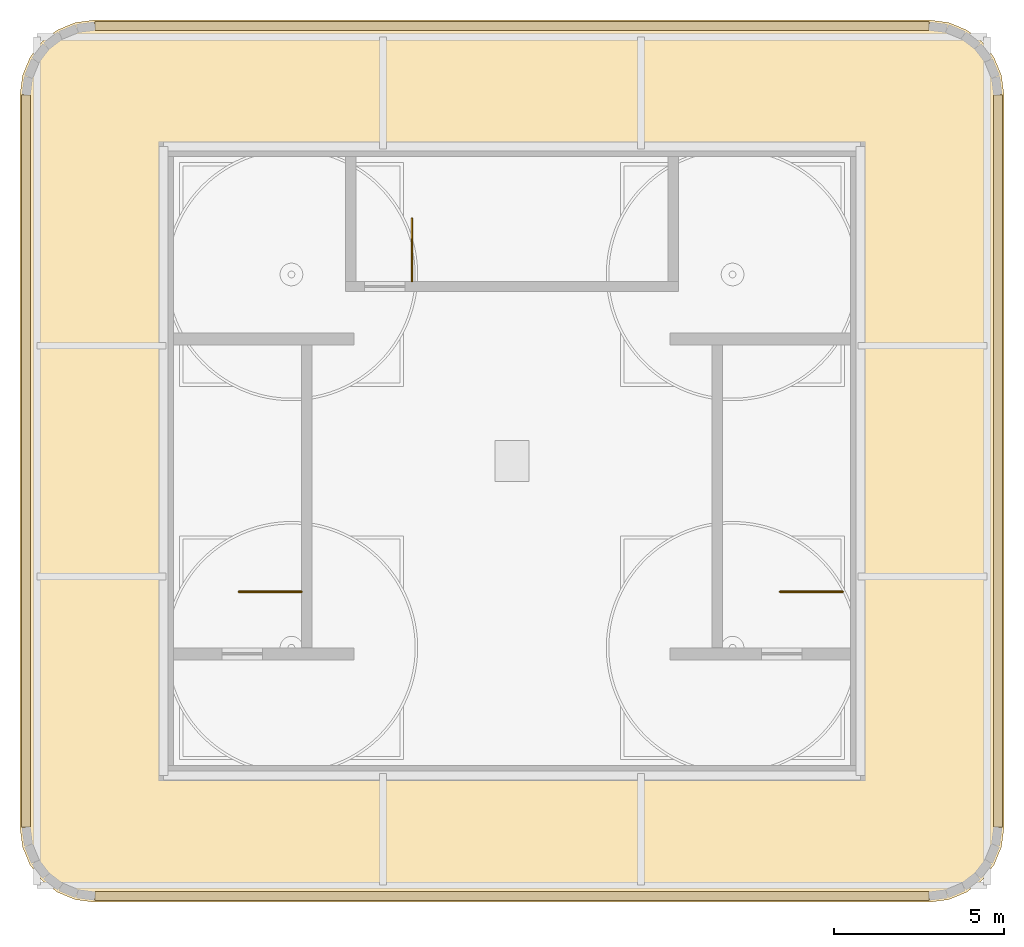
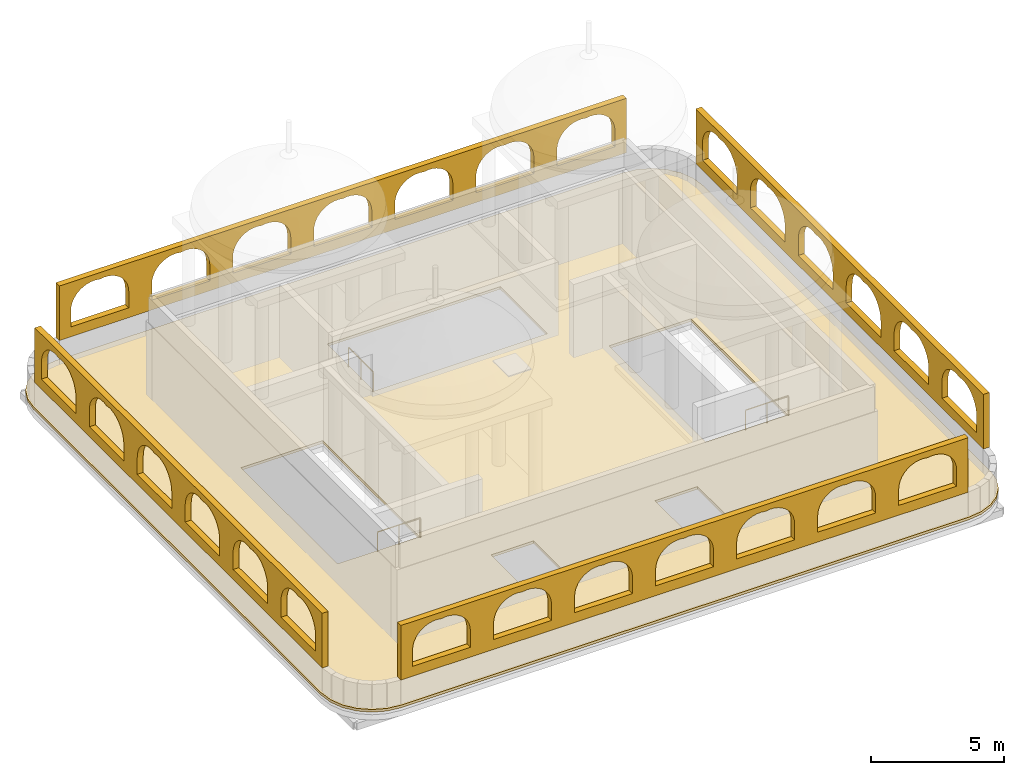
# One storey, part 3 of 3: 5 coverings, 3 railings.
"""IFC4 building model written with IfcOpenShell, lengths in metres."""

from ifc_helpers import new_model, si_unit, direction, frame, origin, origin_2d, place, context, subcontext, project, spatial, polyline, circle, outline, extrude, material, layer, layer_set, type_object, element, save


model = new_model("IFC4")

# Units and contexts
model_context = context("Model", 3, precision=1e-05, world=origin(), true_north=direction((0.0, 1.0)))
body_context = subcontext(model_context, "Body", "Model", "MODEL_VIEW")
ifc_project = project(units=[si_unit("LENGTHUNIT", "METRE"), si_unit("AREAUNIT", "SQUARE_METRE"), si_unit("VOLUMEUNIT", "CUBIC_METRE"), si_unit("PLANEANGLEUNIT", "RADIAN"), si_unit("MASSUNIT", "GRAM", prefix="KILO")], contexts=[model_context])

# Site, building, storey
site_placement = place(None, origin())
site = spatial("IfcSite", under=ifc_project, at=site_placement, CompositionType="ELEMENT")
building_placement = place(site_placement, origin())
building = spatial("IfcBuilding", under=site, at=building_placement, Name="Punatoya Terracotta Tower", CompositionType="ELEMENT")
storey_placement = place(building_placement, frame((0.0, 0.0, 370.800048828125)))
storey = spatial("IfcBuildingStorey", under=building, at=storey_placement, Name="RF", CompositionType="ELEMENT", Elevation=370.800048828125)

# Coverings
ifc_material_1 = material(Name="Architectural Fired Terracotta Rainscreen", Category="masonry")
ifc_layer_1 = layer(ifc_material_1, 0.260009765625)
ifc_layer_set_1 = layer_set([ifc_layer_1], Name="Architectural Fired Terracotta Rainscreen")
covering_type_1 = type_object("IfcCoveringType", Name="COV-CRN-260", PredefinedType="CLADDING", material=ifc_layer_set_1)
covering_1_placement = place(storey_placement, frame((14.320068359375, -10.7880859375, 1.349853515625), z_axis=(0.0, 0.0, 1.0), x_axis=(0.0, 1.0, 0.0)))
element("IfcCovering", 1, at=covering_1_placement, inside=storey, type_object=covering_type_1, Name="RF Crown Arched Parapet Screen 01", PredefinedType="CLADDING", context=body_context, shape_type="SweptSolid", body=[
    extrude(outline(polyline([(0.0, 0.0), (21.576416015625, 0.0), (21.576416015625, 2.5), (0.0, 2.5), (0.0, 0.0)]), holes=[polyline([(0.5, 0.449951171875), (0.5, 1.199951171875), (0.51708984375, 1.38818359375), (0.568359375, 1.56982421875), (0.65185546875, 1.739501953125), (0.7646484375, 1.890869140625), (0.903076171875, 2.019287109375), (1.0625, 2.120361328125), (1.23779296875, 2.19091796875), (1.4228515625, 2.228271484375), (1.61181640625, 2.231201171875), (1.798095703125, 2.199951171875), (1.984375, 2.231201171875), (2.173095703125, 2.228271484375), (2.3583984375, 2.19091796875), (2.533447265625, 2.120361328125), (2.693115234375, 2.019287109375), (2.83154296875, 1.890869140625), (2.9443359375, 1.739501953125), (3.027587890625, 1.56982421875), (3.078857421875, 1.38818359375), (3.09619140625, 1.199951171875), (3.09619140625, 0.449951171875), (0.5, 0.449951171875)]), polyline([(4.09619140625, 0.449951171875), (4.09619140625, 1.199951171875), (4.11328125, 1.38818359375), (4.16455078125, 1.56982421875), (4.247802734375, 1.739501953125), (4.360595703125, 1.890869140625), (4.4990234375, 2.019287109375), (4.65869140625, 2.120361328125), (4.833984375, 2.19091796875), (5.01904296875, 2.228271484375), (5.207763671875, 2.231201171875), (5.39404296875, 2.199951171875), (5.580322265625, 2.231201171875), (5.769287109375, 2.228271484375), (5.954345703125, 2.19091796875), (6.129638671875, 2.120361328125), (6.2890625, 2.019287109375), (6.427490234375, 1.890869140625), (6.540283203125, 1.739501953125), (6.623779296875, 1.56982421875), (6.6748046875, 1.38818359375), (6.692138671875, 1.199951171875), (6.692138671875, 0.449951171875), (4.09619140625, 0.449951171875)]), polyline([(7.692138671875, 0.449951171875), (7.692138671875, 1.199951171875), (7.70947265625, 1.38818359375), (7.760498046875, 1.56982421875), (7.843994140625, 1.739501953125), (7.956787109375, 1.890869140625), (8.09521484375, 2.019287109375), (8.254638671875, 2.120361328125), (8.429931640625, 2.19091796875), (8.614990234375, 2.228271484375), (8.803955078125, 2.231201171875), (8.990234375, 2.199951171875), (9.176513671875, 2.231201171875), (9.365234375, 2.228271484375), (9.55029296875, 2.19091796875), (9.7255859375, 2.120361328125), (9.88525390625, 2.019287109375), (10.023681640625, 1.890869140625), (10.136474609375, 1.739501953125), (10.2197265625, 1.56982421875), (10.27099609375, 1.38818359375), (10.2880859375, 1.199951171875), (10.2880859375, 0.449951171875), (7.692138671875, 0.449951171875)]), polyline([(11.2880859375, 0.449951171875), (11.2880859375, 1.199951171875), (11.305419921875, 1.38818359375), (11.356689453125, 1.56982421875), (11.43994140625, 1.739501953125), (11.552734375, 1.890869140625), (11.691162109375, 2.019287109375), (11.850830078125, 2.120361328125), (12.02587890625, 2.19091796875), (12.211181640625, 2.228271484375), (12.39990234375, 2.231201171875), (12.586181640625, 2.199951171875), (12.7724609375, 2.231201171875), (12.961181640625, 2.228271484375), (13.146484375, 2.19091796875), (13.32177734375, 2.120361328125), (13.481201171875, 2.019287109375), (13.61962890625, 1.890869140625), (13.732421875, 1.739501953125), (13.81591796875, 1.56982421875), (13.866943359375, 1.38818359375), (13.88427734375, 1.199951171875), (13.88427734375, 0.449951171875), (11.2880859375, 0.449951171875)]), polyline([(14.88427734375, 0.449951171875), (14.88427734375, 1.199951171875), (14.901611328125, 1.38818359375), (14.95263671875, 1.56982421875), (15.035888671875, 1.739501953125), (15.148681640625, 1.890869140625), (15.287353515625, 2.019287109375), (15.44677734375, 2.120361328125), (15.6220703125, 2.19091796875), (15.80712890625, 2.228271484375), (15.99609375, 2.231201171875), (16.182373046875, 2.199951171875), (16.36865234375, 2.231201171875), (16.557373046875, 2.228271484375), (16.742431640625, 2.19091796875), (16.917724609375, 2.120361328125), (17.077392578125, 2.019287109375), (17.2158203125, 1.890869140625), (17.32861328125, 1.739501953125), (17.411865234375, 1.56982421875), (17.463134765625, 1.38818359375), (17.480224609375, 1.199951171875), (17.480224609375, 0.449951171875), (14.88427734375, 0.449951171875)]), polyline([(18.480224609375, 0.449951171875), (18.480224609375, 1.199951171875), (18.49755859375, 1.38818359375), (18.548583984375, 1.56982421875), (18.632080078125, 1.739501953125), (18.744873046875, 1.890869140625), (18.88330078125, 2.019287109375), (19.04296875, 2.120361328125), (19.218017578125, 2.19091796875), (19.4033203125, 2.228271484375), (19.592041015625, 2.231201171875), (19.7783203125, 2.199951171875), (19.964599609375, 2.231201171875), (20.153564453125, 2.228271484375), (20.338623046875, 2.19091796875), (20.513916015625, 2.120361328125), (20.67333984375, 2.019287109375), (20.811767578125, 1.890869140625), (20.924560546875, 1.739501953125), (21.008056640625, 1.56982421875), (21.05908203125, 1.38818359375), (21.076416015625, 1.199951171875), (21.076416015625, 0.449951171875), (18.480224609375, 0.449951171875)])]), frame((0.0, 0.1298828125, 0.0), z_axis=(0.0, -1.0, 0.0), x_axis=(1.0, 0.0, 0.0)), (0.0, 0.0, 1.0), 0.260009765625),
])
covering_2_placement = place(storey_placement, frame((12.2880859375, 12.820068359375, 1.349853515625), z_axis=(0.0, 0.0, 1.0), x_axis=(-1.0, 0.0, 0.0)))
element("IfcCovering", 2, at=covering_2_placement, inside=storey, type_object=covering_type_1, Name="RF Crown Arched Parapet Screen 02", PredefinedType="CLADDING", context=body_context, shape_type="SweptSolid", body=[
    extrude(outline(polyline([(0.0, 0.0), (24.576416015625, 0.0), (24.576416015625, 2.5), (0.0, 2.5), (0.0, 0.0)]), holes=[polyline([(0.5, 0.449951171875), (0.5, 1.199951171875), (0.5166015625, 1.38330078125), (0.5654296875, 1.560791015625), (0.6455078125, 1.7265625), (0.753662109375, 1.87548828125), (0.88671875, 2.00244140625), (1.040283203125, 2.103759765625), (1.209716796875, 2.176025390625), (1.38916015625, 2.216796875), (1.572998046875, 2.224853515625), (1.755615234375, 2.199951171875), (1.937744140625, 2.224853515625), (2.12158203125, 2.216796875), (2.30126953125, 2.176025390625), (2.470458984375, 2.103759765625), (2.624267578125, 2.00244140625), (2.75732421875, 1.87548828125), (2.865478515625, 1.7265625), (2.9453125, 1.560791015625), (2.994384765625, 1.38330078125), (3.010986328125, 1.199951171875), (3.010986328125, 0.449951171875), (0.5, 0.449951171875)]), polyline([(4.010986328125, 0.449951171875), (4.010986328125, 1.199951171875), (4.02734375, 1.38330078125), (4.076416015625, 1.560791015625), (4.15625, 1.7265625), (4.2646484375, 1.87548828125), (4.397705078125, 2.00244140625), (4.551513671875, 2.103759765625), (4.720703125, 2.176025390625), (4.900146484375, 2.216796875), (5.083984375, 2.224853515625), (5.266357421875, 2.199951171875), (5.44873046875, 2.224853515625), (5.632568359375, 2.216796875), (5.81201171875, 2.176025390625), (5.9814453125, 2.103759765625), (6.135009765625, 2.00244140625), (6.268310546875, 1.87548828125), (6.37646484375, 1.7265625), (6.456298828125, 1.560791015625), (6.50537109375, 1.38330078125), (6.521728515625, 1.199951171875), (6.521728515625, 0.449951171875), (4.010986328125, 0.449951171875)]), polyline([(7.521728515625, 0.449951171875), (7.521728515625, 1.199951171875), (7.538330078125, 1.38330078125), (7.58740234375, 1.560791015625), (7.667236328125, 1.7265625), (7.775390625, 1.87548828125), (7.90869140625, 2.00244140625), (8.062255859375, 2.103759765625), (8.231689453125, 2.176025390625), (8.410888671875, 2.216796875), (8.594970703125, 2.224853515625), (8.77734375, 2.199951171875), (8.959716796875, 2.224853515625), (9.1435546875, 2.216796875), (9.322998046875, 2.176025390625), (9.4921875, 2.103759765625), (9.64599609375, 2.00244140625), (9.779052734375, 1.87548828125), (9.88720703125, 1.7265625), (9.96728515625, 1.560791015625), (10.01611328125, 1.38330078125), (10.03271484375, 1.199951171875), (10.03271484375, 0.449951171875), (7.521728515625, 0.449951171875)]), polyline([(11.03271484375, 0.449951171875), (11.03271484375, 1.199951171875), (11.04931640625, 1.38330078125), (11.09814453125, 1.560791015625), (11.17822265625, 1.7265625), (11.286376953125, 1.87548828125), (11.41943359375, 2.00244140625), (11.5732421875, 2.103759765625), (11.742431640625, 2.176025390625), (11.922119140625, 2.216796875), (12.105712890625, 2.224853515625), (12.2880859375, 2.199951171875), (12.470703125, 2.224853515625), (12.654296875, 2.216796875), (12.833984375, 2.176025390625), (13.003173828125, 2.103759765625), (13.156982421875, 2.00244140625), (13.2900390625, 1.87548828125), (13.398193359375, 1.7265625), (13.478271484375, 1.560791015625), (13.527099609375, 1.38330078125), (13.543701171875, 1.199951171875), (13.543701171875, 0.449951171875), (11.03271484375, 0.449951171875)]), polyline([(14.543701171875, 0.449951171875), (14.543701171875, 1.199951171875), (14.560302734375, 1.38330078125), (14.609130859375, 1.560791015625), (14.689208984375, 1.7265625), (14.79736328125, 1.87548828125), (14.930419921875, 2.00244140625), (15.083984375, 2.103759765625), (15.25341796875, 2.176025390625), (15.432861328125, 2.216796875), (15.61669921875, 2.224853515625), (15.799072265625, 2.199951171875), (15.9814453125, 2.224853515625), (16.165283203125, 2.216796875), (16.3447265625, 2.176025390625), (16.51416015625, 2.103759765625), (16.667724609375, 2.00244140625), (16.80078125, 1.87548828125), (16.9091796875, 1.7265625), (16.989013671875, 1.560791015625), (17.0380859375, 1.38330078125), (17.0546875, 1.199951171875), (17.0546875, 0.449951171875), (14.543701171875, 0.449951171875)]), polyline([(18.0546875, 0.449951171875), (18.0546875, 1.199951171875), (18.071044921875, 1.38330078125), (18.1201171875, 1.560791015625), (18.199951171875, 1.7265625), (18.30810546875, 1.87548828125), (18.44140625, 2.00244140625), (18.594970703125, 2.103759765625), (18.764404296875, 2.176025390625), (18.94384765625, 2.216796875), (19.127685546875, 2.224853515625), (19.31005859375, 2.199951171875), (19.492431640625, 2.224853515625), (19.67626953125, 2.216796875), (19.855712890625, 2.176025390625), (20.02490234375, 2.103759765625), (20.1787109375, 2.00244140625), (20.311767578125, 1.87548828125), (20.420166015625, 1.7265625), (20.5, 1.560791015625), (20.549072265625, 1.38330078125), (20.5654296875, 1.199951171875), (20.5654296875, 0.449951171875), (18.0546875, 0.449951171875)]), polyline([(21.5654296875, 0.449951171875), (21.5654296875, 1.199951171875), (21.58203125, 1.38330078125), (21.631103515625, 1.560791015625), (21.7109375, 1.7265625), (21.819091796875, 1.87548828125), (21.9521484375, 2.00244140625), (22.10595703125, 2.103759765625), (22.275146484375, 2.176025390625), (22.45458984375, 2.216796875), (22.638671875, 2.224853515625), (22.82080078125, 2.199951171875), (23.00341796875, 2.224853515625), (23.187255859375, 2.216796875), (23.36669921875, 2.176025390625), (23.535888671875, 2.103759765625), (23.689697265625, 2.00244140625), (23.82275390625, 1.87548828125), (23.930908203125, 1.7265625), (24.010986328125, 1.560791015625), (24.059814453125, 1.38330078125), (24.076416015625, 1.199951171875), (24.076416015625, 0.449951171875), (21.5654296875, 0.449951171875)])]), frame((0.0, 0.1298828125, 0.0), z_axis=(0.0, -1.0, 0.0), x_axis=(1.0, 0.0, 0.0)), (0.0, 0.0, 1.0), 0.260009765625),
])
covering_3_placement = place(storey_placement, frame((-14.320068359375, 10.7880859375, 1.349853515625), z_axis=(0.0, 0.0, 1.0), x_axis=(0.0, -1.0, 0.0)))
element("IfcCovering", 3, at=covering_3_placement, inside=storey, type_object=covering_type_1, Name="RF Crown Arched Parapet Screen 03", PredefinedType="CLADDING", context=body_context, shape_type="SweptSolid", body=[
    extrude(outline(polyline([(0.0, 0.0), (21.576416015625, 0.0), (21.576416015625, 2.5), (0.0, 2.5), (0.0, 0.0)]), holes=[polyline([(0.5, 0.449951171875), (0.5, 1.199951171875), (0.51708984375, 1.38818359375), (0.568359375, 1.56982421875), (0.65185546875, 1.739501953125), (0.7646484375, 1.890869140625), (0.903076171875, 2.019287109375), (1.0625, 2.120361328125), (1.23779296875, 2.19091796875), (1.4228515625, 2.228271484375), (1.61181640625, 2.231201171875), (1.798095703125, 2.199951171875), (1.984375, 2.231201171875), (2.173095703125, 2.228271484375), (2.3583984375, 2.19091796875), (2.533447265625, 2.120361328125), (2.693115234375, 2.019287109375), (2.83154296875, 1.890869140625), (2.9443359375, 1.739501953125), (3.027587890625, 1.56982421875), (3.078857421875, 1.38818359375), (3.09619140625, 1.199951171875), (3.09619140625, 0.449951171875), (0.5, 0.449951171875)]), polyline([(4.09619140625, 0.449951171875), (4.09619140625, 1.199951171875), (4.11328125, 1.38818359375), (4.16455078125, 1.56982421875), (4.247802734375, 1.739501953125), (4.360595703125, 1.890869140625), (4.4990234375, 2.019287109375), (4.65869140625, 2.120361328125), (4.833984375, 2.19091796875), (5.01904296875, 2.228271484375), (5.207763671875, 2.231201171875), (5.39404296875, 2.199951171875), (5.580322265625, 2.231201171875), (5.769287109375, 2.228271484375), (5.954345703125, 2.19091796875), (6.129638671875, 2.120361328125), (6.2890625, 2.019287109375), (6.427490234375, 1.890869140625), (6.540283203125, 1.739501953125), (6.623779296875, 1.56982421875), (6.6748046875, 1.38818359375), (6.692138671875, 1.199951171875), (6.692138671875, 0.449951171875), (4.09619140625, 0.449951171875)]), polyline([(7.692138671875, 0.449951171875), (7.692138671875, 1.199951171875), (7.70947265625, 1.38818359375), (7.760498046875, 1.56982421875), (7.843994140625, 1.739501953125), (7.956787109375, 1.890869140625), (8.09521484375, 2.019287109375), (8.254638671875, 2.120361328125), (8.429931640625, 2.19091796875), (8.614990234375, 2.228271484375), (8.803955078125, 2.231201171875), (8.990234375, 2.199951171875), (9.176513671875, 2.231201171875), (9.365234375, 2.228271484375), (9.55029296875, 2.19091796875), (9.7255859375, 2.120361328125), (9.88525390625, 2.019287109375), (10.023681640625, 1.890869140625), (10.136474609375, 1.739501953125), (10.2197265625, 1.56982421875), (10.27099609375, 1.38818359375), (10.2880859375, 1.199951171875), (10.2880859375, 0.449951171875), (7.692138671875, 0.449951171875)]), polyline([(11.2880859375, 0.449951171875), (11.2880859375, 1.199951171875), (11.305419921875, 1.38818359375), (11.356689453125, 1.56982421875), (11.43994140625, 1.739501953125), (11.552734375, 1.890869140625), (11.691162109375, 2.019287109375), (11.850830078125, 2.120361328125), (12.02587890625, 2.19091796875), (12.211181640625, 2.228271484375), (12.39990234375, 2.231201171875), (12.586181640625, 2.199951171875), (12.7724609375, 2.231201171875), (12.961181640625, 2.228271484375), (13.146484375, 2.19091796875), (13.32177734375, 2.120361328125), (13.481201171875, 2.019287109375), (13.61962890625, 1.890869140625), (13.732421875, 1.739501953125), (13.81591796875, 1.56982421875), (13.866943359375, 1.38818359375), (13.88427734375, 1.199951171875), (13.88427734375, 0.449951171875), (11.2880859375, 0.449951171875)]), polyline([(14.88427734375, 0.449951171875), (14.88427734375, 1.199951171875), (14.901611328125, 1.38818359375), (14.95263671875, 1.56982421875), (15.035888671875, 1.739501953125), (15.148681640625, 1.890869140625), (15.287353515625, 2.019287109375), (15.44677734375, 2.120361328125), (15.6220703125, 2.19091796875), (15.80712890625, 2.228271484375), (15.99609375, 2.231201171875), (16.182373046875, 2.199951171875), (16.36865234375, 2.231201171875), (16.557373046875, 2.228271484375), (16.742431640625, 2.19091796875), (16.917724609375, 2.120361328125), (17.077392578125, 2.019287109375), (17.2158203125, 1.890869140625), (17.32861328125, 1.739501953125), (17.411865234375, 1.56982421875), (17.463134765625, 1.38818359375), (17.480224609375, 1.199951171875), (17.480224609375, 0.449951171875), (14.88427734375, 0.449951171875)]), polyline([(18.480224609375, 0.449951171875), (18.480224609375, 1.199951171875), (18.49755859375, 1.38818359375), (18.548583984375, 1.56982421875), (18.632080078125, 1.739501953125), (18.744873046875, 1.890869140625), (18.88330078125, 2.019287109375), (19.04296875, 2.120361328125), (19.218017578125, 2.19091796875), (19.4033203125, 2.228271484375), (19.592041015625, 2.231201171875), (19.7783203125, 2.199951171875), (19.964599609375, 2.231201171875), (20.153564453125, 2.228271484375), (20.338623046875, 2.19091796875), (20.513916015625, 2.120361328125), (20.67333984375, 2.019287109375), (20.811767578125, 1.890869140625), (20.924560546875, 1.739501953125), (21.008056640625, 1.56982421875), (21.05908203125, 1.38818359375), (21.076416015625, 1.199951171875), (21.076416015625, 0.449951171875), (18.480224609375, 0.449951171875)])]), frame((0.0, 0.1298828125, 0.0), z_axis=(0.0, -1.0, 0.0), x_axis=(1.0, 0.0, 0.0)), (0.0, 0.0, 1.0), 0.260009765625),
])
covering_4_placement = place(storey_placement, frame((-12.2880859375, -12.820068359375, 1.349853515625), z_axis=(0.0, 0.0, 1.0), x_axis=(1.0, 0.0, 0.0)))
element("IfcCovering", 4, at=covering_4_placement, inside=storey, type_object=covering_type_1, Name="RF Crown Arched Parapet Screen 04", PredefinedType="CLADDING", context=body_context, shape_type="SweptSolid", body=[
    extrude(outline(polyline([(0.0, 0.0), (24.576416015625, 0.0), (24.576416015625, 2.5), (0.0, 2.5), (0.0, 0.0)]), holes=[polyline([(0.5, 0.449951171875), (0.5, 1.199951171875), (0.5166015625, 1.38330078125), (0.5654296875, 1.560791015625), (0.6455078125, 1.7265625), (0.753662109375, 1.87548828125), (0.88671875, 2.00244140625), (1.040283203125, 2.103759765625), (1.209716796875, 2.176025390625), (1.38916015625, 2.216796875), (1.572998046875, 2.224853515625), (1.755615234375, 2.199951171875), (1.937744140625, 2.224853515625), (2.12158203125, 2.216796875), (2.30126953125, 2.176025390625), (2.470458984375, 2.103759765625), (2.624267578125, 2.00244140625), (2.75732421875, 1.87548828125), (2.865478515625, 1.7265625), (2.9453125, 1.560791015625), (2.994384765625, 1.38330078125), (3.010986328125, 1.199951171875), (3.010986328125, 0.449951171875), (0.5, 0.449951171875)]), polyline([(4.010986328125, 0.449951171875), (4.010986328125, 1.199951171875), (4.02734375, 1.38330078125), (4.076416015625, 1.560791015625), (4.15625, 1.7265625), (4.2646484375, 1.87548828125), (4.397705078125, 2.00244140625), (4.551513671875, 2.103759765625), (4.720703125, 2.176025390625), (4.900146484375, 2.216796875), (5.083984375, 2.224853515625), (5.266357421875, 2.199951171875), (5.44873046875, 2.224853515625), (5.632568359375, 2.216796875), (5.81201171875, 2.176025390625), (5.9814453125, 2.103759765625), (6.135009765625, 2.00244140625), (6.268310546875, 1.87548828125), (6.37646484375, 1.7265625), (6.456298828125, 1.560791015625), (6.50537109375, 1.38330078125), (6.521728515625, 1.199951171875), (6.521728515625, 0.449951171875), (4.010986328125, 0.449951171875)]), polyline([(7.521728515625, 0.449951171875), (7.521728515625, 1.199951171875), (7.538330078125, 1.38330078125), (7.58740234375, 1.560791015625), (7.667236328125, 1.7265625), (7.775390625, 1.87548828125), (7.90869140625, 2.00244140625), (8.062255859375, 2.103759765625), (8.231689453125, 2.176025390625), (8.410888671875, 2.216796875), (8.594970703125, 2.224853515625), (8.77734375, 2.199951171875), (8.959716796875, 2.224853515625), (9.1435546875, 2.216796875), (9.322998046875, 2.176025390625), (9.4921875, 2.103759765625), (9.64599609375, 2.00244140625), (9.779052734375, 1.87548828125), (9.88720703125, 1.7265625), (9.96728515625, 1.560791015625), (10.01611328125, 1.38330078125), (10.03271484375, 1.199951171875), (10.03271484375, 0.449951171875), (7.521728515625, 0.449951171875)]), polyline([(11.03271484375, 0.449951171875), (11.03271484375, 1.199951171875), (11.04931640625, 1.38330078125), (11.09814453125, 1.560791015625), (11.17822265625, 1.7265625), (11.286376953125, 1.87548828125), (11.41943359375, 2.00244140625), (11.5732421875, 2.103759765625), (11.742431640625, 2.176025390625), (11.922119140625, 2.216796875), (12.105712890625, 2.224853515625), (12.2880859375, 2.199951171875), (12.470703125, 2.224853515625), (12.654296875, 2.216796875), (12.833984375, 2.176025390625), (13.003173828125, 2.103759765625), (13.156982421875, 2.00244140625), (13.2900390625, 1.87548828125), (13.398193359375, 1.7265625), (13.478271484375, 1.560791015625), (13.527099609375, 1.38330078125), (13.543701171875, 1.199951171875), (13.543701171875, 0.449951171875), (11.03271484375, 0.449951171875)]), polyline([(14.543701171875, 0.449951171875), (14.543701171875, 1.199951171875), (14.560302734375, 1.38330078125), (14.609130859375, 1.560791015625), (14.689208984375, 1.7265625), (14.79736328125, 1.87548828125), (14.930419921875, 2.00244140625), (15.083984375, 2.103759765625), (15.25341796875, 2.176025390625), (15.432861328125, 2.216796875), (15.61669921875, 2.224853515625), (15.799072265625, 2.199951171875), (15.9814453125, 2.224853515625), (16.165283203125, 2.216796875), (16.3447265625, 2.176025390625), (16.51416015625, 2.103759765625), (16.667724609375, 2.00244140625), (16.80078125, 1.87548828125), (16.9091796875, 1.7265625), (16.989013671875, 1.560791015625), (17.0380859375, 1.38330078125), (17.0546875, 1.199951171875), (17.0546875, 0.449951171875), (14.543701171875, 0.449951171875)]), polyline([(18.0546875, 0.449951171875), (18.0546875, 1.199951171875), (18.071044921875, 1.38330078125), (18.1201171875, 1.560791015625), (18.199951171875, 1.7265625), (18.30810546875, 1.87548828125), (18.44140625, 2.00244140625), (18.594970703125, 2.103759765625), (18.764404296875, 2.176025390625), (18.94384765625, 2.216796875), (19.127685546875, 2.224853515625), (19.31005859375, 2.199951171875), (19.492431640625, 2.224853515625), (19.67626953125, 2.216796875), (19.855712890625, 2.176025390625), (20.02490234375, 2.103759765625), (20.1787109375, 2.00244140625), (20.311767578125, 1.87548828125), (20.420166015625, 1.7265625), (20.5, 1.560791015625), (20.549072265625, 1.38330078125), (20.5654296875, 1.199951171875), (20.5654296875, 0.449951171875), (18.0546875, 0.449951171875)]), polyline([(21.5654296875, 0.449951171875), (21.5654296875, 1.199951171875), (21.58203125, 1.38330078125), (21.631103515625, 1.560791015625), (21.7109375, 1.7265625), (21.819091796875, 1.87548828125), (21.9521484375, 2.00244140625), (22.10595703125, 2.103759765625), (22.275146484375, 2.176025390625), (22.45458984375, 2.216796875), (22.638671875, 2.224853515625), (22.82080078125, 2.199951171875), (23.00341796875, 2.224853515625), (23.187255859375, 2.216796875), (23.36669921875, 2.176025390625), (23.535888671875, 2.103759765625), (23.689697265625, 2.00244140625), (23.82275390625, 1.87548828125), (23.930908203125, 1.7265625), (24.010986328125, 1.560791015625), (24.059814453125, 1.38330078125), (24.076416015625, 1.199951171875), (24.076416015625, 0.449951171875), (21.5654296875, 0.449951171875)])]), frame((0.0, 0.1298828125, 0.0), z_axis=(0.0, -1.0, 0.0), x_axis=(1.0, 0.0, 0.0)), (0.0, 0.0, 1.0), 0.260009765625),
])
ifc_material_2 = material(Name="EPDM Waterproof Membrane + Rigid Insulation")
ifc_layer_2 = layer(ifc_material_2, 0.1201171875)
ifc_layer_set_2 = layer_set([ifc_layer_2], Name="EPDM Waterproof Membrane + Rigid Insulation")
covering_type_2 = type_object("IfcCoveringType", Name="COV-ROOF-120", PredefinedType="ROOFING", material=ifc_layer_set_2)
covering_5_placement = place(storey_placement, frame((0.0, 0.0, 0.119873046875)))
element("IfcCovering", 5, at=covering_5_placement, inside=storey, type_object=covering_type_2, Name="RF Crown Insulated Roof Membrane", PredefinedType="ROOFING", context=body_context, shape_type="SweptSolid", body=[
    extrude(outline(polyline([(-12.300048828125, -13.0), (12.300048828125, -13.0), (12.869384765625, -12.925048828125), (13.39990234375, -12.705322265625), (13.855712890625, -12.355712890625), (14.205322265625, -11.89990234375), (14.425048828125, -11.369384765625), (14.5, -10.800048828125), (14.5, 10.800048828125), (14.425048828125, 11.369384765625), (14.205322265625, 11.89990234375), (13.855712890625, 12.355712890625), (13.39990234375, 12.705322265625), (12.869384765625, 12.925048828125), (12.300048828125, 13.0), (-12.300048828125, 13.0), (-12.869384765625, 12.925048828125), (-13.39990234375, 12.705322265625), (-13.855712890625, 12.355712890625), (-14.205322265625, 11.89990234375), (-14.425048828125, 11.369384765625), (-14.5, 10.800048828125), (-14.5, -10.800048828125), (-14.425048828125, -11.369384765625), (-14.205322265625, -11.89990234375), (-13.855712890625, -12.355712890625), (-13.39990234375, -12.705322265625), (-12.869384765625, -12.925048828125), (-12.300048828125, -13.0)]), holes=[polyline([(-4.469970703125, -6.179931640625), (-2.6298828125, -6.179931640625), (-2.6298828125, -8.820068359375), (-4.469970703125, -8.820068359375), (-4.469970703125, -6.179931640625)]), polyline([(2.6298828125, -6.179931640625), (4.469970703125, -6.179931640625), (4.469970703125, -8.820068359375), (2.6298828125, -8.820068359375), (2.6298828125, -6.179931640625)]), polyline([(-9.75, -3.79931640625), (-9.75, 3.449951171875), (-6.199951171875, 3.449951171875), (-6.199951171875, -3.79931640625), (-9.75, -3.79931640625)]), polyline([(6.199951171875, 3.449951171875), (9.75, 3.449951171875), (9.75, -3.79931640625), (6.199951171875, -3.79931640625), (6.199951171875, 3.449951171875)]), polyline([(4.60009765625, 8.85009765625), (4.60009765625, 5.300048828125), (-2.899169921875, 5.300048828125), (-2.899169921875, 8.85009765625), (4.60009765625, 8.85009765625)])]), origin(), (0.0, 0.0, 1.0), 0.1201171875),
])

# Railings
ifc_material_3 = material(Name="Steel S355", Category="steel")
railing_type = type_object("IfcRailingType", Name="RLG-GRD-1150", PredefinedType="GUARDRAIL", material=ifc_material_3)
for number, where, name in (
    (6, (-6.199951171875, -3.85009765625, 0.0), "RF ST-1 top well guard 1"),
    (7, (9.75, -3.85009765625, 0.0), "RF ST-2 top well guard 1"),
):
    element("IfcRailing", number, at=place(storey_placement, frame(where)), inside=storey, type_object=railing_type, Name=name, PredefinedType="GUARDRAIL", context=body_context, shape_type="SweptSolid", body=[
        extrude(circle(Radius=0.02392578125, at=origin_2d()), frame((0.0, 0.0, 1.1259765625), z_axis=(-1.0, 0.0, 0.0), x_axis=(0.0, -1.0, 0.0)), (0.0, 0.0, 1.0), 1.85009765625),
        extrude(circle(Radius=0.02099609375, at=origin_2d()), origin(), (0.0, 0.0, 1.0), 1.101806640625),
        extrude(circle(Radius=0.02099609375, at=origin_2d()), frame((-0.925048828125, 0.0, 0.0)), (0.0, 0.0, 1.0), 1.101806640625),
        extrude(circle(Radius=0.02099609375, at=origin_2d()), frame((-1.85009765625, 0.0, 0.0)), (0.0, 0.0, 1.0), 1.101806640625),
    ])
railing_placement = place(storey_placement, frame((-2.949951171875, 5.300048828125, 0.0)))
element("IfcRailing", 8, at=railing_placement, inside=storey, type_object=railing_type, Name="RF ST-3 top well guard 1", PredefinedType="GUARDRAIL", context=body_context, shape_type="SweptSolid", body=[
    extrude(circle(Radius=0.02392578125, at=origin_2d()), frame((0.0, 0.0, 1.1259765625), z_axis=(0.0, 1.0, 0.0), x_axis=(-1.0, 0.0, 0.0)), (0.0, 0.0, 1.0), 1.849853515625),
    extrude(circle(Radius=0.02099609375, at=origin_2d()), origin(), (0.0, 0.0, 1.0), 1.101806640625),
    extrude(circle(Radius=0.02099609375, at=origin_2d()), frame((0.0, 0.9248046875, 0.0)), (0.0, 0.0, 1.0), 1.101806640625),
    extrude(circle(Radius=0.02099609375, at=origin_2d()), frame((0.0, 1.849853515625, 0.0)), (0.0, 0.0, 1.0), 1.101806640625),
])

save(model, "model.ifc")
